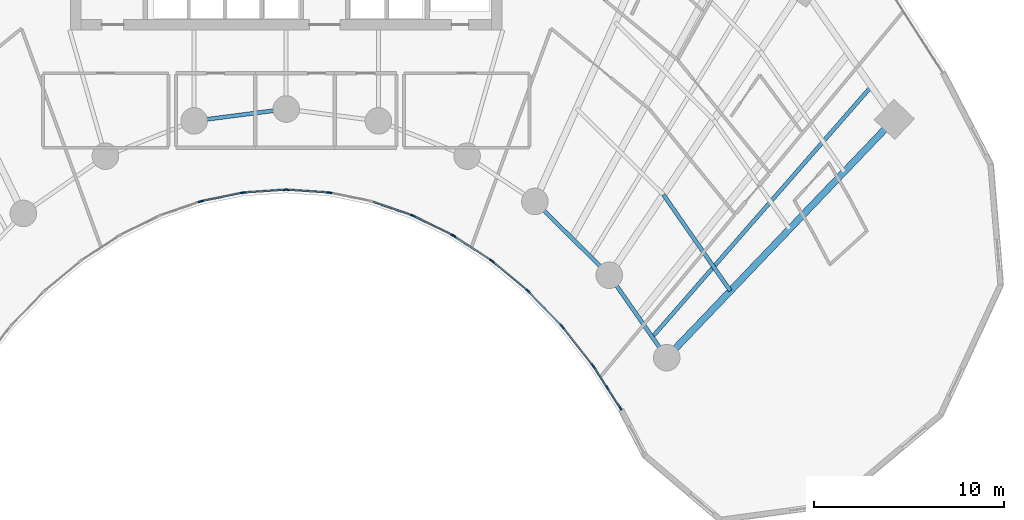
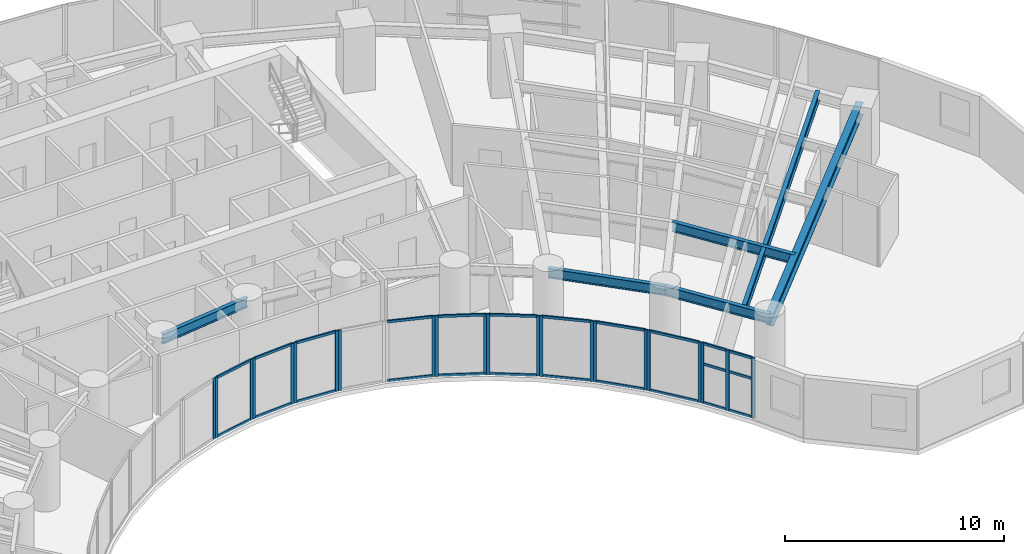
# One storey, part 4 of 17: 46 members, 6 beams, 12 elements without a shape of their own.
"""IFC4 building model written with IfcOpenShell, lengths in metres."""

from ifc_helpers import new_model, si_unit, direction, frame, origin, origin_2d, place, context, subcontext, project, spatial, rectangle, i_section, extrude, source, transform, mapped, material, layer, layer_set, material_profile, profile_set, type_object, type_shapes, element, aggregate, save


model = new_model("IFC4")

# Units and contexts
model_context = context("Model", 3, precision=1e-05, world=origin(), true_north=direction((0.0, 1.0)))
body_context = subcontext(model_context, "Body", "Model", "MODEL_VIEW")
ifc_project = project(units=[si_unit("LENGTHUNIT", "METRE"), si_unit("AREAUNIT", "SQUARE_METRE"), si_unit("VOLUMEUNIT", "CUBIC_METRE"), si_unit("PLANEANGLEUNIT", "RADIAN"), si_unit("MASSUNIT", "GRAM", prefix="KILO")], contexts=[model_context])

# Site, building, storey
site_placement = place(None, origin())
site = spatial("IfcSite", under=ifc_project, at=site_placement, CompositionType="ELEMENT")
building_placement = place(site_placement, origin())
building = spatial("IfcBuilding", under=site, at=building_placement, Name="Breltana Convention Tower", CompositionType="ELEMENT")
storey_placement = place(building_placement, frame((0.0, 0.0, 46.199951171875)))
storey = spatial("IfcBuildingStorey", under=building, at=storey_placement, Name="L09", CompositionType="ELEMENT", Elevation=46.199951171875)

# Beams
ifc_material_1 = material(Name="Steel ASTM A992 Grade 50", Category="steel")
ifc_material_profile_1 = material_profile(ifc_material_1, i_section(OverallWidth=0.35498046875, OverallDepth=0.696044921875, WebThickness=0.015380859375, FlangeThickness=0.02490234375, at=origin_2d()), Name="W27X146")
ifc_profile_set_1 = profile_set([ifc_material_profile_1], Name="Steel ASTM A992 Grade 50")
beam_type_1 = type_object("IfcBeamType", Name="BM-RG-W27X146", PredefinedType="USERDEFINED", material=ifc_profile_set_1)
shared_shape_1 = source(origin(), body_context, "Body", "SweptSolid", [
    extrude(i_section(OverallWidth=0.35498046875, OverallDepth=0.696044921875, WebThickness=0.015380859375, FlangeThickness=0.02490234375, at=origin_2d()), origin(), (0.0, 0.0, 1.0), 17.341064453125),
])
type_shapes(beam_type_1, [shared_shape_1])
beam_1_placement = place(storey_placement, frame((68.015380859375, 42.95458984375, 3.011962890625), z_axis=(0.690716462293, 0.723125693581, 0.0), x_axis=(-0.723125693581, 0.690716462293, 0.0)))
element("IfcBeam", 1, at=beam_1_placement, inside=storey, type_object=beam_type_1, Name="L09 Radial Floor Girder R11", ObjectType="GIRDER", PredefinedType="USERDEFINED", context=body_context, shape_type="MappedRepresentation", body=[
    mapped(shared_shape_1, transform((0.0, 0.0, 0.0), scale=1.0)),
])
ifc_material_profile_2 = material_profile(ifc_material_1, i_section(OverallWidth=0.2099609375, OverallDepth=0.537109375, WebThickness=0.010986328125, FlangeThickness=0.017333984375, at=origin_2d()), Name="W21X68")
ifc_profile_set_2 = profile_set([ifc_material_profile_2], Name="Steel ASTM A992 Grade 50")
beam_type_2 = type_object("IfcBeamType", Name="BM-BM-W21X68", PredefinedType="BEAM", material=ifc_profile_set_2)
shared_shape_2 = source(origin(), body_context, "Body", "SweptSolid", [
    extrude(i_section(OverallWidth=0.2099609375, OverallDepth=0.537109375, WebThickness=0.010986328125, FlangeThickness=0.017333984375, at=origin_2d()), origin(), (0.0, 0.0, 1.0), 4.88671875),
])
beam_2_placement = place(storey_placement, frame((43.153564453125, 55.41064453125, 3.091552734375), z_axis=(0.991780525565, 0.127950729231, 0.0), x_axis=(-0.127950729231, 0.991780525565, 0.0)))
element("IfcBeam", 2, at=beam_2_placement, inside=storey, type_object=beam_type_2, Name="L09 Inner Ring Beam 05", PredefinedType="BEAM", context=body_context, shape_type="MappedRepresentation", body=[
    mapped(shared_shape_2, transform((0.0, 0.0, 0.0), scale=1.0)),
])
shared_shape_3 = source(origin(), body_context, "Body", "SweptSolid", [
    extrude(i_section(OverallWidth=0.2099609375, OverallDepth=0.537109375, WebThickness=0.010986328125, FlangeThickness=0.017333984375, at=origin_2d()), origin(), (0.0, 0.0, 1.0), 5.51171875),
])
beam_3_placement = place(storey_placement, frame((61.08203125, 51.174560546875, 3.091552734375), z_axis=(0.710090360749, -0.704110559196, 0.0), x_axis=(0.704110559196, 0.710090360749, 0.0)))
element("IfcBeam", 3, at=beam_3_placement, inside=storey, type_object=beam_type_2, Name="L09 Inner Ring Beam 09", PredefinedType="BEAM", context=body_context, shape_type="MappedRepresentation", body=[
    mapped(shared_shape_3, transform((0.0, 0.0, 0.0), scale=1.0)),
])
shared_shape_4 = source(origin(), body_context, "Body", "SweptSolid", [
    extrude(i_section(OverallWidth=0.2099609375, OverallDepth=0.537109375, WebThickness=0.010986328125, FlangeThickness=0.017333984375, at=origin_2d()), origin(), (0.0, 0.0, 1.0), 5.286376953125),
])
beam_4_placement = place(storey_placement, frame((64.995849609375, 47.293701171875, 3.091552734375), z_axis=(0.571194382458, -0.82081482531, 0.0), x_axis=(0.82081482531, 0.571194382458, 0.0)))
element("IfcBeam", 4, at=beam_4_placement, inside=storey, type_object=beam_type_2, Name="L09 Inner Ring Beam 10", PredefinedType="BEAM", context=body_context, shape_type="MappedRepresentation", body=[
    mapped(shared_shape_4, transform((0.0, 0.0, 0.0), scale=1.0)),
])
ifc_material_profile_3 = material_profile(ifc_material_1, i_section(OverallWidth=0.2099609375, OverallDepth=0.537109375, WebThickness=0.010986328125, FlangeThickness=0.017333984375, at=origin_2d()), Name="W21X68")
ifc_profile_set_3 = profile_set([ifc_material_profile_3], Name="Steel ASTM A992 Grade 50")
beam_type_3 = type_object("IfcBeamType", Name="BM-JSG-04", PredefinedType="JOIST", material=ifc_profile_set_3)
shared_shape_5 = source(origin(), body_context, "Body", "SweptSolid", [
    extrude(i_section(OverallWidth=0.2099609375, OverallDepth=0.537109375, WebThickness=0.010986328125, FlangeThickness=0.017333984375, at=origin_2d()), origin(), (0.0, 0.0, 1.0), 6.172119140625),
])
beam_5_placement = place(storey_placement, frame((67.84375, 51.531982421875, 3.091552734375), z_axis=(0.571211663392, -0.820802799462, 0.0), x_axis=(0.820802799462, 0.571211663392, 0.0)))
element("IfcBeam", 5, at=beam_5_placement, inside=storey, type_object=beam_type_3, Name="L09 Composite Floor Joist 10.1", PredefinedType="JOIST", context=body_context, shape_type="MappedRepresentation", body=[
    mapped(shared_shape_5, transform((0.0, 0.0, 0.0), scale=1.0)),
])
shared_shape_6 = source(origin(), body_context, "Body", "SweptSolid", [
    extrude(i_section(OverallWidth=0.2099609375, OverallDepth=0.537109375, WebThickness=0.010986328125, FlangeThickness=0.017333984375, at=origin_2d()), origin(), (0.0, 0.0, 1.0), 17.515625),
])
beam_6_placement = place(storey_placement, frame((67.260498046875, 44.03955078125, 3.091552734375), z_axis=(0.658051548324, 0.752972881151, 0.0), x_axis=(-0.752972881151, 0.658051548324, 0.0)))
element("IfcBeam", 6, at=beam_6_placement, inside=storey, type_object=beam_type_3, Name="L09 Quarter-Bay Radial Trimmer 10", PredefinedType="JOIST", context=body_context, shape_type="MappedRepresentation", body=[
    mapped(shared_shape_6, transform((0.0, 0.0, 0.0), scale=1.0)),
])

# Curtain wall, members
ifc_material_2 = material(Name="Aluminium Anodised Bronze Frame", Category="aluminium")
ifc_layer = layer(ifc_material_2, 0.18994140625, Name="Aluminium Anodised Bronze Frame")
ifc_layer_set = layer_set([ifc_layer], Name="Aluminium Anodised Bronze Frame")
curtain_wall_type = type_object("IfcCurtainWallType", Name="CW-SYS-1", PredefinedType="NOTDEFINED", material=ifc_layer_set)
curtain_wall_1_placement = place(storey_placement, origin())
curtain_wall_1 = element("IfcCurtainWall", 7, at=curtain_wall_1_placement, inside=storey, type_object=curtain_wall_type, Name="L09 inner south-court glazing 3", PredefinedType="NOTDEFINED")
ifc_material_3 = material(Name="Aluminium Anodised Bronze", Category="aluminium")
ifc_material_profile_4 = material_profile(ifc_material_3, rectangle(XDim=0.080078125, YDim=0.139892578125, at=origin_2d()), Name="CWT-80X140")
ifc_profile_set_4 = profile_set([ifc_material_profile_4], Name="Aluminium Anodised Bronze")
member_type_1 = type_object("IfcMemberType", Name="CWT-140", PredefinedType="USERDEFINED", material=ifc_profile_set_4)
shared_shape_7 = source(origin(), body_context, "Body", "SweptSolid", [
    extrude(rectangle(XDim=0.080078125, YDim=0.139892578125, at=origin_2d()), origin(), (0.0, 0.0, 1.0), 2.38720703125),
])
type_shapes(member_type_1, [shared_shape_7])
member_1_placement = place(storey_placement, frame((62.4560546875, 44.667724609375, 0.0400390625), z_axis=(-0.694623715393, 0.719373264734, 0.0), x_axis=(-0.719373264734, -0.694623715393, 0.0)))
member_1 = element("IfcMember", 8, at=member_1_placement, type_object=member_type_1, Name="CW-01 transom 1.1", ObjectType="TRANSOM", PredefinedType="USERDEFINED", context=body_context, shape_type="MappedRepresentation", body=[
    mapped(shared_shape_7, transform((0.0, 0.0, 0.0), scale=1.0)),
])
member_2_placement = place(storey_placement, frame((62.4560546875, 44.667724609375, 3.320068359375), z_axis=(-0.694623715393, 0.719373264734, 0.0), x_axis=(-0.719373264734, -0.694623715393, 0.0)))
member_2 = element("IfcMember", 9, at=member_2_placement, type_object=member_type_1, Name="CW-01 transom 1.2", ObjectType="TRANSOM", PredefinedType="USERDEFINED", context=body_context, shape_type="MappedRepresentation", body=[
    mapped(shared_shape_7, transform((0.0, 0.0, 0.0), scale=1.0)),
])

curtain_wall_2_placement = place(storey_placement, origin())
curtain_wall_2 = element("IfcCurtainWall", 10, at=curtain_wall_2_placement, inside=storey, type_object=curtain_wall_type, Name="L09 inner south-court glazing 4", PredefinedType="NOTDEFINED")
shared_shape_8 = source(origin(), body_context, "Body", "SweptSolid", [
    extrude(rectangle(XDim=0.080078125, YDim=0.139892578125, at=origin_2d()), origin(), (0.0, 0.0, 1.0), 2.312255859375),
])
member_3_placement = place(storey_placement, frame((60.666748046875, 46.5068359375, 0.0400390625), z_axis=(-0.767900974507, 0.640568570374, 0.0), x_axis=(-0.640568570374, -0.767900974507, 0.0)))
member_3 = element("IfcMember", 11, at=member_3_placement, type_object=member_type_1, Name="CW-01 transom 1.1", ObjectType="TRANSOM", PredefinedType="USERDEFINED", context=body_context, shape_type="MappedRepresentation", body=[
    mapped(shared_shape_8, transform((0.0, 0.0, 0.0), scale=1.0)),
])
member_4_placement = place(storey_placement, frame((60.666748046875, 46.5068359375, 3.320068359375), z_axis=(-0.767900974507, 0.640568570374, 0.0), x_axis=(-0.640568570374, -0.767900974507, 0.0)))
member_4 = element("IfcMember", 12, at=member_4_placement, type_object=member_type_1, Name="CW-01 transom 1.2", ObjectType="TRANSOM", PredefinedType="USERDEFINED", context=body_context, shape_type="MappedRepresentation", body=[
    mapped(shared_shape_8, transform((0.0, 0.0, 0.0), scale=1.0)),
])

curtain_wall_3_placement = place(storey_placement, origin())
curtain_wall_3 = element("IfcCurtainWall", 13, at=curtain_wall_3_placement, inside=storey, type_object=curtain_wall_type, Name="L09 inner south-court glazing 5", PredefinedType="NOTDEFINED")
shared_shape_9 = source(origin(), body_context, "Body", "SweptSolid", [
    extrude(rectangle(XDim=0.080078125, YDim=0.139892578125, at=origin_2d()), origin(), (0.0, 0.0, 1.0), 2.2421875),
])
member_5_placement = place(storey_placement, frame((58.746337890625, 48.095458984375, 0.0400390625), z_axis=(-0.835982353773, 0.548756324957, 0.0), x_axis=(-0.548756324957, -0.835982353773, 0.0)))
member_5 = element("IfcMember", 14, at=member_5_placement, type_object=member_type_1, Name="CW-01 transom 1.1", ObjectType="TRANSOM", PredefinedType="USERDEFINED", context=body_context, shape_type="MappedRepresentation", body=[
    mapped(shared_shape_9, transform((0.0, 0.0, 0.0), scale=1.0)),
])
member_6_placement = place(storey_placement, frame((58.746337890625, 48.095458984375, 3.320068359375), z_axis=(-0.835982353773, 0.548756324957, 0.0), x_axis=(-0.548756324957, -0.835982353773, 0.0)))
member_6 = element("IfcMember", 15, at=member_6_placement, type_object=member_type_1, Name="CW-01 transom 1.2", ObjectType="TRANSOM", PredefinedType="USERDEFINED", context=body_context, shape_type="MappedRepresentation", body=[
    mapped(shared_shape_9, transform((0.0, 0.0, 0.0), scale=1.0)),
])

curtain_wall_4_placement = place(storey_placement, origin())
curtain_wall_4 = element("IfcCurtainWall", 16, at=curtain_wall_4_placement, inside=storey, type_object=curtain_wall_type, Name="L09 inner south-court glazing 6", PredefinedType="NOTDEFINED")
shared_shape_10 = source(origin(), body_context, "Body", "SweptSolid", [
    extrude(rectangle(XDim=0.080078125, YDim=0.139892578125, at=origin_2d()), origin(), (0.0, 0.0, 1.0), 2.180908203125),
])
member_7_placement = place(storey_placement, frame((56.71435546875, 49.416015625, 0.0400390625), z_axis=(-0.895922266369, 0.444210865045, 0.0), x_axis=(-0.444210865045, -0.895922266369, 0.0)))
member_7 = element("IfcMember", 17, at=member_7_placement, type_object=member_type_1, Name="CW-01 transom 1.1", ObjectType="TRANSOM", PredefinedType="USERDEFINED", context=body_context, shape_type="MappedRepresentation", body=[
    mapped(shared_shape_10, transform((0.0, 0.0, 0.0), scale=1.0)),
])
member_8_placement = place(storey_placement, frame((56.71435546875, 49.416015625, 3.320068359375), z_axis=(-0.895922266369, 0.444210865045, 0.0), x_axis=(-0.444210865045, -0.895922266369, 0.0)))
member_8 = element("IfcMember", 18, at=member_8_placement, type_object=member_type_1, Name="CW-01 transom 1.2", ObjectType="TRANSOM", PredefinedType="USERDEFINED", context=body_context, shape_type="MappedRepresentation", body=[
    mapped(shared_shape_10, transform((0.0, 0.0, 0.0), scale=1.0)),
])

curtain_wall_5_placement = place(storey_placement, origin())
curtain_wall_5 = element("IfcCurtainWall", 19, at=curtain_wall_5_placement, inside=storey, type_object=curtain_wall_type, Name="L09 inner south-court glazing 9", PredefinedType="NOTDEFINED")
shared_shape_11 = source(origin(), body_context, "Body", "SweptSolid", [
    extrude(rectangle(XDim=0.080078125, YDim=0.139892578125, at=origin_2d()), origin(), (0.0, 0.0, 1.0), 2.07861328125),
])
member_9_placement = place(storey_placement, frame((50.165771484375, 51.6474609375, 0.0400390625), z_axis=(-0.997708627147, 0.067657189691, 0.0), x_axis=(-0.067657189691, -0.997708627147, 0.0)))
member_9 = element("IfcMember", 20, at=member_9_placement, type_object=member_type_1, Name="CW-01 transom 1.1", ObjectType="TRANSOM", PredefinedType="USERDEFINED", context=body_context, shape_type="MappedRepresentation", body=[
    mapped(shared_shape_11, transform((0.0, 0.0, 0.0), scale=1.0)),
])
member_10_placement = place(storey_placement, frame((50.165771484375, 51.6474609375, 3.320068359375), z_axis=(-0.997708627147, 0.067657189691, 0.0), x_axis=(-0.067657189691, -0.997708627147, 0.0)))
member_10 = element("IfcMember", 21, at=member_10_placement, type_object=member_type_1, Name="CW-01 transom 1.2", ObjectType="TRANSOM", PredefinedType="USERDEFINED", context=body_context, shape_type="MappedRepresentation", body=[
    mapped(shared_shape_11, transform((0.0, 0.0, 0.0), scale=1.0)),
])

curtain_wall_6_placement = place(storey_placement, origin())
curtain_wall_6 = element("IfcCurtainWall", 22, at=curtain_wall_6_placement, inside=storey, type_object=curtain_wall_type, Name="L09 inner south-court glazing 10", PredefinedType="NOTDEFINED")
member_11_placement = place(storey_placement, frame((47.907958984375, 51.7880859375, 0.0400390625), z_axis=(-0.997708627147, -0.067657189691, 0.0), x_axis=(0.067657189691, -0.997708627147, 0.0)))
member_11 = element("IfcMember", 23, at=member_11_placement, type_object=member_type_1, Name="CW-01 transom 1.1", ObjectType="TRANSOM", PredefinedType="USERDEFINED", context=body_context, shape_type="MappedRepresentation", body=[
    mapped(shared_shape_11, transform((0.0, 0.0, 0.0), scale=1.0)),
])
member_12_placement = place(storey_placement, frame((47.907958984375, 51.7880859375, 3.320068359375), z_axis=(-0.997708627147, -0.067657189691, 0.0), x_axis=(0.067657189691, -0.997708627147, 0.0)))
member_12 = element("IfcMember", 24, at=member_12_placement, type_object=member_type_1, Name="CW-01 transom 1.2", ObjectType="TRANSOM", PredefinedType="USERDEFINED", context=body_context, shape_type="MappedRepresentation", body=[
    mapped(shared_shape_11, transform((0.0, 0.0, 0.0), scale=1.0)),
])

curtain_wall_7_placement = place(storey_placement, origin())
curtain_wall_7 = element("IfcCurtainWall", 25, at=curtain_wall_7_placement, inside=storey, type_object=curtain_wall_type, Name="L09 inner south-court glazing 2", PredefinedType="NOTDEFINED")
shared_shape_12 = source(origin(), body_context, "Body", "SweptSolid", [
    extrude(rectangle(XDim=0.080078125, YDim=0.139892578125, at=origin_2d()), origin(), (0.0, 0.0, 1.0), 2.4638671875),
])
member_13_placement = place(storey_placement, frame((64.09619140625, 42.5966796875, 0.0400390625), z_axis=(-0.618184689608, 0.786032880695, 0.0), x_axis=(-0.786032880695, -0.618184689608, 0.0)))
member_13 = element("IfcMember", 26, at=member_13_placement, type_object=member_type_1, Name="CW-01 transom 1.1", ObjectType="TRANSOM", PredefinedType="USERDEFINED", context=body_context, shape_type="MappedRepresentation", body=[
    mapped(shared_shape_12, transform((0.0, 0.0, 0.0), scale=1.0)),
])
member_14_placement = place(storey_placement, frame((64.09619140625, 42.5966796875, 3.320068359375), z_axis=(-0.618184689608, 0.786032880695, 0.0), x_axis=(-0.786032880695, -0.618184689608, 0.0)))
member_14 = element("IfcMember", 27, at=member_14_placement, type_object=member_type_1, Name="CW-01 transom 1.2", ObjectType="TRANSOM", PredefinedType="USERDEFINED", context=body_context, shape_type="MappedRepresentation", body=[
    mapped(shared_shape_12, transform((0.0, 0.0, 0.0), scale=1.0)),
])

curtain_wall_8_placement = place(storey_placement, origin())
curtain_wall_8 = element("IfcCurtainWall", 28, at=curtain_wall_8_placement, inside=storey, type_object=curtain_wall_type, Name="L09 inner south-court glazing 1", PredefinedType="NOTDEFINED")
ifc_material_profile_5 = material_profile(ifc_material_3, rectangle(XDim=0.080078125, YDim=0.199951171875, at=origin_2d()), Name="CWM-80X200")
ifc_profile_set_5 = profile_set([ifc_material_profile_5], Name="Aluminium Anodised Bronze")
member_type_2 = type_object("IfcMemberType", Name="CWM-200", PredefinedType="MULLION", material=ifc_profile_set_5)
shared_shape_13 = source(origin(), body_context, "Body", "SweptSolid", [
    extrude(rectangle(XDim=0.080078125, YDim=0.199951171875, at=origin_2d()), origin(), (0.0, 0.0, 1.0), 3.360107421875),
])
member_15_placement = place(storey_placement, frame((65.59228515625, 40.281494140625, 0.0), z_axis=(0.0, 0.0, 1.0), x_axis=(-0.841556194767, -0.540169576197, 0.0)))
member_15 = element("IfcMember", 29, at=member_15_placement, type_object=member_type_2, Name="CW-01 mullion 1", PredefinedType="MULLION", context=body_context, shape_type="MappedRepresentation", body=[
    mapped(shared_shape_13, transform((0.0, 0.0, 0.0), scale=1.0)),
])
member_16_placement = place(storey_placement, frame((64.884765625, 41.3837890625, 0.0), z_axis=(0.0, 0.0, 1.0), x_axis=(-0.841556194767, -0.540169576197, 0.0)))
member_16 = element("IfcMember", 30, at=member_16_placement, type_object=member_type_2, Name="CW-01 mullion 2", PredefinedType="MULLION", context=body_context, shape_type="MappedRepresentation", body=[
    mapped(shared_shape_13, transform((0.0, 0.0, 0.0), scale=1.0)),
])
member_17_placement = place(storey_placement, frame((64.17724609375, 42.48583984375, 0.0), z_axis=(0.0, 0.0, 1.0), x_axis=(-0.841556194767, -0.540169576197, 0.0)))
member_17 = element("IfcMember", 31, at=member_17_placement, type_object=member_type_2, Name="CW-01 mullion 3", PredefinedType="MULLION", context=body_context, shape_type="MappedRepresentation", body=[
    mapped(shared_shape_13, transform((0.0, 0.0, 0.0), scale=1.0)),
])

# Member
member_18_placement = place(storey_placement, frame((64.12109375, 42.565185546875, 0.0), z_axis=(0.0, 0.0, 1.0), x_axis=(-0.786057762734, -0.61815305034, 0.0)))
member_18 = element("IfcMember", 32, at=member_18_placement, type_object=member_type_2, Name="CW-01 mullion 1", PredefinedType="MULLION", context=body_context, shape_type="MappedRepresentation", body=[
    mapped(shared_shape_13, transform((0.0, 0.0, 0.0), scale=1.0)),
])

member_19_placement = place(storey_placement, frame((62.54833984375, 44.56494140625, 0.0), z_axis=(0.0, 0.0, 1.0), x_axis=(-0.786057762734, -0.61815305034, 0.0)))
member_19 = element("IfcMember", 33, at=member_19_placement, type_object=member_type_2, Name="CW-01 mullion 2", PredefinedType="MULLION", context=body_context, shape_type="MappedRepresentation", body=[
    mapped(shared_shape_13, transform((0.0, 0.0, 0.0), scale=1.0)),
])

aggregate(curtain_wall_7, [member_18, member_19, member_13, member_14])

member_20_placement = place(storey_placement, frame((62.48388671875, 44.638916015625, 0.0), z_axis=(0.0, 0.0, 1.0), x_axis=(-0.719384548773, -0.694612029111, 0.0)))
member_20 = element("IfcMember", 34, at=member_20_placement, type_object=member_type_2, Name="CW-01 mullion 1", PredefinedType="MULLION", context=body_context, shape_type="MappedRepresentation", body=[
    mapped(shared_shape_13, transform((0.0, 0.0, 0.0), scale=1.0)),
])

member_21_placement = place(storey_placement, frame((60.77001953125, 46.413818359375, 0.0), z_axis=(0.0, 0.0, 1.0), x_axis=(-0.719384548773, -0.694612029111, 0.0)))
member_21 = element("IfcMember", 35, at=member_21_placement, type_object=member_type_2, Name="CW-01 mullion 2", PredefinedType="MULLION", context=body_context, shape_type="MappedRepresentation", body=[
    mapped(shared_shape_13, transform((0.0, 0.0, 0.0), scale=1.0)),
])

aggregate(curtain_wall_1, [member_20, member_21, member_1, member_2])

member_22_placement = place(storey_placement, frame((60.697265625, 46.481201171875, 0.0), z_axis=(0.0, 0.0, 1.0), x_axis=(-0.640522524458, -0.767939382804, 0.0)))
member_22 = element("IfcMember", 36, at=member_22_placement, type_object=member_type_2, Name="CW-01 mullion 1", PredefinedType="MULLION", context=body_context, shape_type="MappedRepresentation", body=[
    mapped(shared_shape_13, transform((0.0, 0.0, 0.0), scale=1.0)),
])

member_23_placement = place(storey_placement, frame((58.8603515625, 48.013671875, 0.0), z_axis=(0.0, 0.0, 1.0), x_axis=(-0.640522524458, -0.767939382804, 0.0)))
member_23 = element("IfcMember", 37, at=member_23_placement, type_object=member_type_2, Name="CW-01 mullion 2", PredefinedType="MULLION", context=body_context, shape_type="MappedRepresentation", body=[
    mapped(shared_shape_13, transform((0.0, 0.0, 0.0), scale=1.0)),
])

aggregate(curtain_wall_2, [member_22, member_23, member_3, member_4])

member_24_placement = place(storey_placement, frame((58.779541015625, 48.073486328125, 0.0), z_axis=(0.0, 0.0, 1.0), x_axis=(-0.548778278441, -0.835967942634, 0.0)))
member_24 = element("IfcMember", 38, at=member_24_placement, type_object=member_type_2, Name="CW-01 mullion 1", PredefinedType="MULLION", context=body_context, shape_type="MappedRepresentation", body=[
    mapped(shared_shape_13, transform((0.0, 0.0, 0.0), scale=1.0)),
])

member_25_placement = place(storey_placement, frame((56.83837890625, 49.347900390625, 0.0), z_axis=(0.0, 0.0, 1.0), x_axis=(-0.548778278441, -0.835967942634, 0.0)))
member_25 = element("IfcMember", 39, at=member_25_placement, type_object=member_type_2, Name="CW-01 mullion 2", PredefinedType="MULLION", context=body_context, shape_type="MappedRepresentation", body=[
    mapped(shared_shape_13, transform((0.0, 0.0, 0.0), scale=1.0)),
])

aggregate(curtain_wall_3, [member_24, member_25, member_5, member_6])

member_26_placement = place(storey_placement, frame((56.750244140625, 49.3984375, 0.0), z_axis=(0.0, 0.0, 1.0), x_axis=(-0.444117987602, -0.895968310315, 0.0)))
member_26 = element("IfcMember", 40, at=member_26_placement, type_object=member_type_2, Name="CW-01 mullion 1", PredefinedType="MULLION", context=body_context, shape_type="MappedRepresentation", body=[
    mapped(shared_shape_13, transform((0.0, 0.0, 0.0), scale=1.0)),
])

member_27_placement = place(storey_placement, frame((54.724609375, 50.40234375, 0.0), z_axis=(0.0, 0.0, 1.0), x_axis=(-0.444117987602, -0.895968310315, 0.0)))
member_27 = element("IfcMember", 41, at=member_27_placement, type_object=member_type_2, Name="CW-01 mullion 2", PredefinedType="MULLION", context=body_context, shape_type="MappedRepresentation", body=[
    mapped(shared_shape_13, transform((0.0, 0.0, 0.0), scale=1.0)),
])

aggregate(curtain_wall_4, [member_26, member_27, member_7, member_8])

# Curtain wall, member
curtain_wall_9_placement = place(storey_placement, origin())
curtain_wall_9 = element("IfcCurtainWall", 42, at=curtain_wall_9_placement, inside=storey, type_object=curtain_wall_type, Name="L09 inner south-court glazing 7", PredefinedType="NOTDEFINED")
member_28_placement = place(storey_placement, frame((54.6298828125, 50.442138671875, 0.0), z_axis=(0.0, 0.0, 1.0), x_axis=(-0.327413341714, -0.944881211406, 0.0)))
member_28 = element("IfcMember", 43, at=member_28_placement, type_object=member_type_2, Name="CW-01 mullion 1", PredefinedType="MULLION", context=body_context, shape_type="MappedRepresentation", body=[
    mapped(shared_shape_13, transform((0.0, 0.0, 0.0), scale=1.0)),
])

curtain_wall_10_placement = place(storey_placement, origin())
curtain_wall_10 = element("IfcCurtainWall", 44, at=curtain_wall_10_placement, inside=storey, type_object=curtain_wall_type, Name="L09 inner south-court glazing 8", PredefinedType="NOTDEFINED")
member_29_placement = place(storey_placement, frame((50.30859375, 51.630615234375, 0.0), z_axis=(0.0, 0.0, 1.0), x_axis=(-0.200886350278, -0.97961455393, 0.0)))
member_29 = element("IfcMember", 45, at=member_29_placement, type_object=member_type_2, Name="CW-01 mullion 2", PredefinedType="MULLION", context=body_context, shape_type="MappedRepresentation", body=[
    mapped(shared_shape_13, transform((0.0, 0.0, 0.0), scale=1.0)),
])
aggregate(curtain_wall_10, [member_29])

# Member
member_30_placement = place(storey_placement, frame((50.20556640625, 51.644775390625, 0.0), z_axis=(0.0, 0.0, 1.0), x_axis=(-0.067725752326, -0.997703975371, 0.0)))
member_30 = element("IfcMember", 46, at=member_30_placement, type_object=member_type_2, Name="CW-01 mullion 1", PredefinedType="MULLION", context=body_context, shape_type="MappedRepresentation", body=[
    mapped(shared_shape_13, transform((0.0, 0.0, 0.0), scale=1.0)),
])

member_31_placement = place(storey_placement, frame((48.052001953125, 51.790771484375, 0.0), z_axis=(0.0, 0.0, 1.0), x_axis=(-0.067725752326, -0.997703975371, 0.0)))
member_31 = element("IfcMember", 47, at=member_31_placement, type_object=member_type_2, Name="CW-01 mullion 2", PredefinedType="MULLION", context=body_context, shape_type="MappedRepresentation", body=[
    mapped(shared_shape_13, transform((0.0, 0.0, 0.0), scale=1.0)),
])

aggregate(curtain_wall_5, [member_30, member_31, member_9, member_10])

member_32_placement = place(storey_placement, frame((47.947998046875, 51.790771484375, 0.0), z_axis=(0.0, 0.0, 1.0), x_axis=(0.067725752326, -0.997703975371, 0.0)))
member_32 = element("IfcMember", 48, at=member_32_placement, type_object=member_type_2, Name="CW-01 mullion 1", PredefinedType="MULLION", context=body_context, shape_type="MappedRepresentation", body=[
    mapped(shared_shape_13, transform((0.0, 0.0, 0.0), scale=1.0)),
])

member_33_placement = place(storey_placement, frame((45.79443359375, 51.644775390625, 0.0), z_axis=(0.0, 0.0, 1.0), x_axis=(0.067725752326, -0.997703975371, 0.0)))
member_33 = element("IfcMember", 49, at=member_33_placement, type_object=member_type_2, Name="CW-01 mullion 2", PredefinedType="MULLION", context=body_context, shape_type="MappedRepresentation", body=[
    mapped(shared_shape_13, transform((0.0, 0.0, 0.0), scale=1.0)),
])

aggregate(curtain_wall_6, [member_32, member_33, member_11, member_12])

# Curtain wall, members
curtain_wall_11_placement = place(storey_placement, origin())
curtain_wall_11 = element("IfcCurtainWall", 50, at=curtain_wall_11_placement, inside=storey, type_object=curtain_wall_type, Name="L09 inner south-court glazing 11", PredefinedType="NOTDEFINED")
member_34_placement = place(storey_placement, frame((45.69140625, 51.630615234375, 0.0), z_axis=(0.0, 0.0, 1.0), x_axis=(0.200886350278, -0.97961455393, 0.0)))
member_34 = element("IfcMember", 51, at=member_34_placement, type_object=member_type_2, Name="CW-01 mullion 1", PredefinedType="MULLION", context=body_context, shape_type="MappedRepresentation", body=[
    mapped(shared_shape_13, transform((0.0, 0.0, 0.0), scale=1.0)),
])
member_35_placement = place(storey_placement, frame((43.55908203125, 51.193359375, 0.0), z_axis=(0.0, 0.0, 1.0), x_axis=(0.200886350278, -0.97961455393, 0.0)))
member_35 = element("IfcMember", 52, at=member_35_placement, type_object=member_type_2, Name="CW-01 mullion 2", PredefinedType="MULLION", context=body_context, shape_type="MappedRepresentation", body=[
    mapped(shared_shape_13, transform((0.0, 0.0, 0.0), scale=1.0)),
])

# Curtain wall, member
curtain_wall_12_placement = place(storey_placement, origin())
curtain_wall_12 = element("IfcCurtainWall", 53, at=curtain_wall_12_placement, inside=storey, type_object=curtain_wall_type, Name="L09 inner south-court glazing 12", PredefinedType="NOTDEFINED")
member_36_placement = place(storey_placement, frame((43.45947265625, 51.166015625, 0.0), z_axis=(0.0, 0.0, 1.0), x_axis=(0.327413341714, -0.944881211406, 0.0)))
member_36 = element("IfcMember", 54, at=member_36_placement, type_object=member_type_2, Name="CW-01 mullion 1", PredefinedType="MULLION", context=body_context, shape_type="MappedRepresentation", body=[
    mapped(shared_shape_13, transform((0.0, 0.0, 0.0), scale=1.0)),
])
aggregate(curtain_wall_12, [member_36])

# Member
shared_shape_14 = source(origin(), body_context, "Body", "SweptSolid", [
    extrude(rectangle(XDim=0.080078125, YDim=0.139892578125, at=origin_2d()), origin(), (0.0, 0.0, 1.0), 1.229736328125),
])
member_37_placement = place(storey_placement, frame((65.57080078125, 40.315185546875, 0.0400390625), z_axis=(-0.540185543357, 0.841545945714, 0.0), x_axis=(-0.841545945714, -0.540185543357, 0.0)))
member_37 = element("IfcMember", 55, at=member_37_placement, type_object=member_type_1, Name="CW-01 transom 1.1", ObjectType="TRANSOM", PredefinedType="USERDEFINED", context=body_context, shape_type="MappedRepresentation", body=[
    mapped(shared_shape_14, transform((0.0, 0.0, 0.0), scale=1.0)),
])

member_38_placement = place(storey_placement, frame((65.57080078125, 40.315185546875, 2.18408203125), z_axis=(-0.540185543357, 0.841545945714, 0.0), x_axis=(-0.841545945714, -0.540185543357, 0.0)))
member_38 = element("IfcMember", 56, at=member_38_placement, type_object=member_type_1, Name="CW-01 transom 1.2", ObjectType="TRANSOM", PredefinedType="USERDEFINED", context=body_context, shape_type="MappedRepresentation", body=[
    mapped(shared_shape_14, transform((0.0, 0.0, 0.0), scale=1.0)),
])

member_39_placement = place(storey_placement, frame((65.57080078125, 40.315185546875, 3.320068359375), z_axis=(-0.540185543357, 0.841545945714, 0.0), x_axis=(-0.841545945714, -0.540185543357, 0.0)))
member_39 = element("IfcMember", 57, at=member_39_placement, type_object=member_type_1, Name="CW-01 transom 1.3", ObjectType="TRANSOM", PredefinedType="USERDEFINED", context=body_context, shape_type="MappedRepresentation", body=[
    mapped(shared_shape_14, transform((0.0, 0.0, 0.0), scale=1.0)),
])

member_40_placement = place(storey_placement, frame((64.86328125, 41.41748046875, 0.0400390625), z_axis=(-0.540185543357, 0.841545945714, 0.0), x_axis=(-0.841545945714, -0.540185543357, 0.0)))
member_40 = element("IfcMember", 58, at=member_40_placement, type_object=member_type_1, Name="CW-01 transom 2.1", ObjectType="TRANSOM", PredefinedType="USERDEFINED", context=body_context, shape_type="MappedRepresentation", body=[
    mapped(shared_shape_14, transform((0.0, 0.0, 0.0), scale=1.0)),
])

member_41_placement = place(storey_placement, frame((64.86328125, 41.41748046875, 2.18408203125), z_axis=(-0.540185543357, 0.841545945714, 0.0), x_axis=(-0.841545945714, -0.540185543357, 0.0)))
member_41 = element("IfcMember", 59, at=member_41_placement, type_object=member_type_1, Name="CW-01 transom 2.2", ObjectType="TRANSOM", PredefinedType="USERDEFINED", context=body_context, shape_type="MappedRepresentation", body=[
    mapped(shared_shape_14, transform((0.0, 0.0, 0.0), scale=1.0)),
])

member_42_placement = place(storey_placement, frame((64.86328125, 41.41748046875, 3.320068359375), z_axis=(-0.540185543357, 0.841545945714, 0.0), x_axis=(-0.841545945714, -0.540185543357, 0.0)))
member_42 = element("IfcMember", 60, at=member_42_placement, type_object=member_type_1, Name="CW-01 transom 2.3", ObjectType="TRANSOM", PredefinedType="USERDEFINED", context=body_context, shape_type="MappedRepresentation", body=[
    mapped(shared_shape_14, transform((0.0, 0.0, 0.0), scale=1.0)),
])

aggregate(curtain_wall_8, [member_15, member_16, member_17, member_37, member_38, member_39, member_40, member_41, member_42])

shared_shape_15 = source(origin(), body_context, "Body", "SweptSolid", [
    extrude(rectangle(XDim=0.080078125, YDim=0.139892578125, at=origin_2d()), origin(), (0.0, 0.0, 1.0), 2.131103515625),
])
member_43_placement = place(storey_placement, frame((54.592041015625, 50.455078125, 0.0400390625), z_axis=(-0.944847069856, 0.327511854112, 0.0), x_axis=(-0.327511854112, -0.944847069856, 0.0)))
member_43 = element("IfcMember", 61, at=member_43_placement, type_object=member_type_1, Name="CW-01 transom 1.1", ObjectType="TRANSOM", PredefinedType="USERDEFINED", context=body_context, shape_type="MappedRepresentation", body=[
    mapped(shared_shape_15, transform((0.0, 0.0, 0.0), scale=1.0)),
])

member_44_placement = place(storey_placement, frame((54.592041015625, 50.455078125, 3.320068359375), z_axis=(-0.944847069856, 0.327511854112, 0.0), x_axis=(-0.327511854112, -0.944847069856, 0.0)))
member_44 = element("IfcMember", 62, at=member_44_placement, type_object=member_type_1, Name="CW-01 transom 1.2", ObjectType="TRANSOM", PredefinedType="USERDEFINED", context=body_context, shape_type="MappedRepresentation", body=[
    mapped(shared_shape_15, transform((0.0, 0.0, 0.0), scale=1.0)),
])

aggregate(curtain_wall_9, [member_28, member_43, member_44])

shared_shape_16 = source(origin(), body_context, "Body", "SweptSolid", [
    extrude(rectangle(XDim=0.080078125, YDim=0.139892578125, at=origin_2d()), origin(), (0.0, 0.0, 1.0), 2.096435546875),
])
member_45_placement = place(storey_placement, frame((45.652099609375, 51.62255859375, 0.0400390625), z_axis=(-0.979615042233, -0.200883969074, 0.0), x_axis=(0.200883969074, -0.979615042233, 0.0)))
member_45 = element("IfcMember", 63, at=member_45_placement, type_object=member_type_1, Name="CW-01 transom 1.1", ObjectType="TRANSOM", PredefinedType="USERDEFINED", context=body_context, shape_type="MappedRepresentation", body=[
    mapped(shared_shape_16, transform((0.0, 0.0, 0.0), scale=1.0)),
])

member_46_placement = place(storey_placement, frame((45.652099609375, 51.62255859375, 3.320068359375), z_axis=(-0.979615042233, -0.200883969074, 0.0), x_axis=(0.200883969074, -0.979615042233, 0.0)))
member_46 = element("IfcMember", 64, at=member_46_placement, type_object=member_type_1, Name="CW-01 transom 1.2", ObjectType="TRANSOM", PredefinedType="USERDEFINED", context=body_context, shape_type="MappedRepresentation", body=[
    mapped(shared_shape_16, transform((0.0, 0.0, 0.0), scale=1.0)),
])

aggregate(curtain_wall_11, [member_34, member_35, member_45, member_46])

save(model, "model.ifc")
